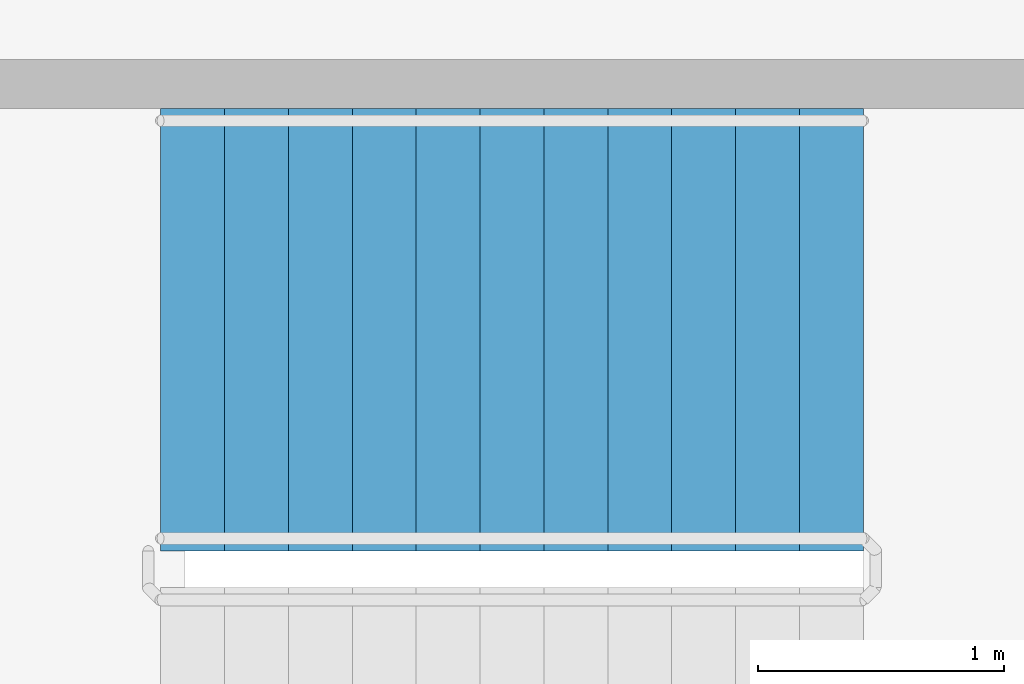
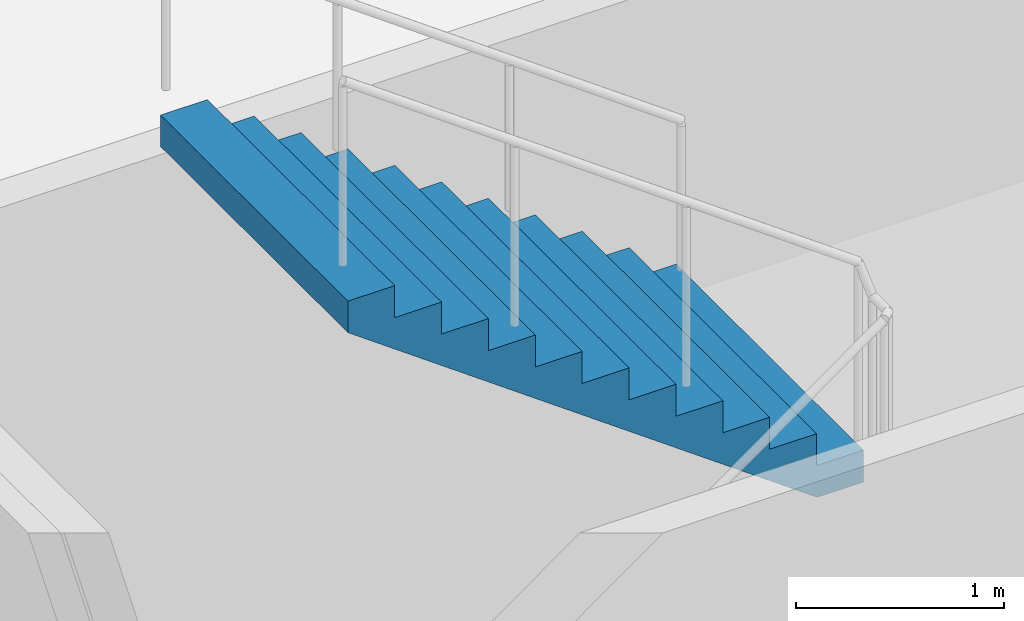
# One storey, part 47 of 51: 1 stair flight, 1 element without a shape of its own.
"""IFC4 building model written with IfcOpenShell, lengths in metres."""

import ifcopenshell
import ifcopenshell.guid

model = None  # the IFC model being written
_history = None  # IfcOwnerHistory: only IFC2X3 demands one
_inside = {}  # id of a spatial element -> (the spatial element, [elements in it])
_under = {}  # id of a project, library or spatial element -> (it, [spatial elements below it])
_declared = {}  # id of a project -> (the project, [libraries it declares])
_typed = {}  # id of a type object -> (the type object, [elements of that type])
_made_of = {}  # id of a material, layer set ... -> (it, [elements and type objects made of it])


def new_model(schema):
    """Start an empty IFC model of exactly this schema.

    Asked for "IFC4X3", IfcOpenShell would pick the latest addendum, in which some entities
    have other attributes; the version numbers below select the first issue.
    IFC2X3 requires an IfcOwnerHistory on every rooted entity: one is made here for all.
    """
    global model, _history
    if schema == "IFC4X3":
        model = ifcopenshell.file(schema_version=(4, 3, 0, 0))
    else:
        model = ifcopenshell.file(schema=schema)
    _inside.clear()
    _under.clear()
    _declared.clear()
    _typed.clear()
    _made_of.clear()
    _history = None
    if model.schema == "IFC2X3":
        org = make("IfcOrganization", Name="unknown")
        user = make(
            "IfcPersonAndOrganization",
            ThePerson=make("IfcPerson", FamilyName="unknown"),
            TheOrganization=org,
        )
        app = make(
            "IfcApplication",
            ApplicationDeveloper=org,
            Version="unknown",
            ApplicationFullName="unknown",
            ApplicationIdentifier="unknown",
        )
        _history = make(
            "IfcOwnerHistory",
            OwningUser=user,
            OwningApplication=app,
            ChangeAction="ADDED",
            CreationDate=0,
        )
    return model


def make(cls, **values):
    """One entity of the class cls with the attributes given. An attribute that is None is left unset."""
    return model.create_entity(
        cls, **{name: value for name, value in values.items() if value is not None}
    )


def rooted(cls, **values):
    """An entity with a GlobalId (a new one), such as an element, a storey or a relation."""
    return make(cls, GlobalId=ifcopenshell.guid.new(), OwnerHistory=_history, **values)


def si_unit(unit_type, name, prefix=None):
    """IfcSIUnit, for example si_unit("LENGTHUNIT", "METRE", prefix="MILLI")."""
    return make("IfcSIUnit", UnitType=unit_type, Prefix=prefix, Name=name)


def assignment(units):
    """IfcUnitAssignment: the units of a project."""
    return None if units is None else make("IfcUnitAssignment", Units=units)


def point(xyz):
    """IfcCartesianPoint."""
    return None if xyz is None else make("IfcCartesianPoint", Coordinates=xyz)


def direction(xyz):
    """IfcDirection."""
    return None if xyz is None else make("IfcDirection", DirectionRatios=xyz)


def frame(location, z_axis=None, x_axis=None):
    """IfcAxis2Placement3D, a coordinate frame: its origin and axes. An axis left out is left unset."""
    return make(
        "IfcAxis2Placement3D",
        Location=point(location),
        Axis=direction(z_axis),
        RefDirection=direction(x_axis),
    )


def origin():
    """The frame at (0, 0, 0) with its axes left unset."""
    return frame((0.0, 0.0, 0.0))


def place(relative_to, where):
    """IfcLocalPlacement: puts the frame where relative to a parent placement (None: the world)."""
    return make(
        "IfcLocalPlacement", PlacementRelTo=relative_to, RelativePlacement=where
    )


def context(
    kind, dimensions, precision=None, world=None, true_north=None, identifier=None
):
    """IfcGeometricRepresentationContext, for example the 3D "Model" context."""
    return make(
        "IfcGeometricRepresentationContext",
        ContextIdentifier=identifier,
        ContextType=kind,
        CoordinateSpaceDimension=dimensions,
        Precision=precision,
        WorldCoordinateSystem=world,
        TrueNorth=true_north,
    )


def subcontext(parent, identifier, kind, view, scale=None):
    """IfcGeometricRepresentationSubContext, for example "Body" below "Model"."""
    return make(
        "IfcGeometricRepresentationSubContext",
        ContextIdentifier=identifier,
        ContextType=kind,
        ParentContext=parent,
        TargetScale=scale,
        TargetView=view,
    )


def project(units=None, contexts=None):
    """IfcProject with its units and contexts."""
    return rooted(
        "IfcProject",
        Name="project",
        RepresentationContexts=contexts,
        UnitsInContext=assignment(units),
    )


def spatial(cls, under=None, at=None, **own):
    """A site, building, storey or space (cls), placed at a placement, below another one or the project."""
    s = rooted(cls, ObjectPlacement=at, **own)
    if under is not None:
        _under.setdefault(under.id(), (under, []))[1].append(s)
    return s


def faces_of(points, faces, orient=None, outer=None):
    """IfcFace entities. A face is a list of loops; a loop is a list of indices into points, from 0.

    orient and outer hold one flag for each loop. By default every Orientation is true, the
    first loop of a face is its IfcFaceOuterBound and the others are IfcFaceBound.
    """
    made = []
    for i, loops in enumerate(faces):
        bounds = []
        for j, loop in enumerate(loops):
            is_outer = j == 0 if outer is None else outer[i][j]
            bounds.append(
                make(
                    "IfcFaceOuterBound" if is_outer else "IfcFaceBound",
                    Bound=make("IfcPolyLoop", Polygon=[points[k] for k in loop]),
                    Orientation=True if orient is None else orient[i][j],
                )
            )
        made.append(make("IfcFace", Bounds=bounds))
    return made


def faceted_brep(points, faces, orient=None, outer=None, voids=None):
    """IfcFacetedBrep: a solid bounded by flat faces; with voids (closed shells), ...WithVoids."""
    shared = [point(p) for p in points]
    hull = make("IfcClosedShell", CfsFaces=faces_of(shared, faces, orient, outer))
    if voids is None:
        return make("IfcFacetedBrep", Outer=hull)
    return make(
        "IfcFacetedBrepWithVoids",
        Outer=hull,
        Voids=[
            make(cls, CfsFaces=faces_of(shared, fs, o, b)) for cls, fs, o, b in voids
        ],
    )


def shape(context_of_items, identifier, shape_type, items):
    """IfcShapeRepresentation: the items that make up one representation, for example the "Body"."""
    return make(
        "IfcShapeRepresentation",
        ContextOfItems=context_of_items,
        RepresentationIdentifier=identifier,
        RepresentationType=shape_type,
        Items=items,
    )


def material(Name=None, Category=None):
    """IfcMaterial."""
    return make("IfcMaterial", Name=Name, Category=Category)


def made_of(thing, what):
    """Note that an element or type object is made of a material, layer set ...; save() writes the relation."""
    if what is not None:
        _made_of.setdefault(what.id(), (what, []))[1].append(thing)
    return thing


def type_object(cls, material=None, **own):
    """A type object (cls), such as IfcWallType, which elements share."""
    return made_of(rooted(cls, **own), material)


def element(
    cls,
    number,
    at=None,
    inside=None,
    cuts=None,
    type_object=None,
    material=None,
    context=None,
    identifier="Body",
    shape_type=None,
    held_by="IfcProductDefinitionShape",
    body=None,
    shapes=None,
    **own,
):
    """One element of the class cls, such as IfcWall. Its Tag is "e" and its number.

    at: its placement. inside: the storey or other place that contains it. cuts: it is an
    opening in that element (IfcRelVoidsElement). A single representation is given by context,
    identifier, shape_type and body (its items); several are given by shapes. held_by: the class
    of the entity that holds the representations. save() writes the other relations.
    """
    e = rooted(cls, Tag="e%d" % number, ObjectPlacement=at, **own)
    if body is not None:
        shapes = [shape(context, identifier, shape_type, body)]
    if shapes is not None:
        e.Representation = make(held_by, Representations=shapes)
    if inside is not None:
        _inside.setdefault(inside.id(), (inside, []))[1].append(e)
    if cuts is not None:
        rooted(
            "IfcRelVoidsElement", RelatingBuildingElement=cuts, RelatedOpeningElement=e
        )
    if type_object is not None:
        _typed.setdefault(type_object.id(), (type_object, []))[1].append(e)
    return made_of(e, material)


def aggregate(whole, parts):
    """IfcRelAggregates: a whole, such as a stair, and the parts it consists of."""
    return rooted("IfcRelAggregates", RelatingObject=whole, RelatedObjects=parts)


def save(model, path):
    """Write the relations noted so far, then the file.

    IfcRelAggregates (storeys below a building ...), IfcRelContainedInSpatialStructure (elements
    in a storey), IfcRelDefinesByType, IfcRelAssociatesMaterial and IfcRelDeclares: one each for
    every whole, place, type object, material and project.
    """
    for whole, parts in _under.values():
        aggregate(whole, parts)
    for where, things in _inside.values():
        rooted(
            "IfcRelContainedInSpatialStructure",
            RelatedElements=things,
            RelatingStructure=where,
        )
    for kind, things in _typed.values():
        rooted("IfcRelDefinesByType", RelatedObjects=things, RelatingType=kind)
    for what, things in _made_of.values():
        rooted("IfcRelAssociatesMaterial", RelatedObjects=things, RelatingMaterial=what)
    for by, libraries in _declared.values():
        rooted("IfcRelDeclares", RelatingContext=by, RelatedDefinitions=libraries)
    model.write(path)


model = new_model("IFC4")

# Units and contexts
model_context = context("Model", 3, precision=1e-05, world=origin(), true_north=direction((0.0, 1.0)))
body_context = subcontext(model_context, "Body", "Model", "MODEL_VIEW")
ifc_project = project(units=[si_unit("LENGTHUNIT", "METRE"), si_unit("AREAUNIT", "SQUARE_METRE"), si_unit("VOLUMEUNIT", "CUBIC_METRE"), si_unit("PLANEANGLEUNIT", "RADIAN"), si_unit("MASSUNIT", "GRAM", prefix="KILO")], contexts=[model_context])

# Site, building, storey
site_placement = place(None, origin())
site = spatial("IfcSite", under=ifc_project, at=site_placement, CompositionType="ELEMENT")
building_placement = place(site_placement, origin())
building = spatial("IfcBuilding", under=site, at=building_placement, Name="Ipe Terrace Towers", CompositionType="ELEMENT")
storey_placement = place(building_placement, frame((0.0, 0.0, 15.5)))
storey = spatial("IfcBuildingStorey", under=building, at=storey_placement, Name="L03", CompositionType="ELEMENT", Elevation=15.5)

# Stair, stair flight
ifc_material_1 = material(Name="Concrete C30/37", Category="concrete")
stair_type = type_object("IfcStairType", Name="Protected exit stair", PredefinedType="HALF_TURN_STAIR", material=ifc_material_1)
stair_placement = place(storey_placement, origin())
stair = element("IfcStair", 1, at=stair_placement, inside=storey, type_object=stair_type, Name="L03 Podium exit stair PS8", PredefinedType="HALF_TURN_STAIR")
ifc_material_2 = material(Name="Concrete C30/37", Category="concrete")
stair_flight_type = type_object("IfcStairFlightType", Name="Exit stair flight 1800", PredefinedType="STRAIGHT", material=ifc_material_2)
stair_flight_placement = place(storey_placement, frame((61.550048828125, 4.449951171875, 2.25), z_axis=(0.0, 0.0, 1.0), x_axis=(-1.0, 0.0, 0.0)))
stair_flight = element("IfcStairFlight", 2, at=stair_flight_placement, type_object=stair_flight_type, Name="PS8 flight 2", NumberOfRisers=12, NumberOfTreads=11, PredefinedType="STRAIGHT", RiserHeight=0.1875, TreadLength=0.26, context=body_context, shape_type="Brep", body=[
    faceted_brep([(0.25634765625, -0.89990234375, 0.0), (2.860107421875, -0.89990234375, 1.877685546875), (2.860107421875, -0.89990234375, 2.0625), (2.60009765625, -0.89990234375, 2.0625), (2.60009765625, -0.89990234375, 1.875), (2.340087890625, -0.89990234375, 1.875), (2.340087890625, -0.89990234375, 1.6875), (2.080078125, -0.89990234375, 1.6875), (2.080078125, -0.89990234375, 1.5), (1.820068359375, -0.89990234375, 1.5), (1.820068359375, -0.89990234375, 1.3125), (1.56005859375, -0.89990234375, 1.3125), (1.56005859375, -0.89990234375, 1.125), (1.300048828125, -0.89990234375, 1.125), (1.300048828125, -0.89990234375, 0.9375), (1.0400390625, -0.89990234375, 0.9375), (1.0400390625, -0.89990234375, 0.75), (0.780029296875, -0.89990234375, 0.75), (0.780029296875, -0.89990234375, 0.5625), (0.52001953125, -0.89990234375, 0.5625), (0.52001953125, -0.89990234375, 0.375), (0.260009765625, -0.89990234375, 0.375), (0.260009765625, -0.89990234375, 0.1875), (0.0, -0.89990234375, 0.1875), (0.0, -0.89990234375, 0.0), (0.0, 0.89990234375, 0.0), (0.0, 0.89990234375, 0.1875), (0.260009765625, 0.89990234375, 0.1875), (0.260009765625, 0.89990234375, 0.375), (0.52001953125, 0.89990234375, 0.375), (0.52001953125, 0.89990234375, 0.5625), (0.780029296875, 0.89990234375, 0.5625), (0.780029296875, 0.89990234375, 0.75), (1.0400390625, 0.89990234375, 0.75), (1.0400390625, 0.89990234375, 0.9375), (1.300048828125, 0.89990234375, 0.9375), (1.300048828125, 0.89990234375, 1.125), (1.56005859375, 0.89990234375, 1.125), (1.56005859375, 0.89990234375, 1.3125), (1.820068359375, 0.89990234375, 1.3125), (1.820068359375, 0.89990234375, 1.5), (2.080078125, 0.89990234375, 1.5), (2.080078125, 0.89990234375, 1.6875), (2.340087890625, 0.89990234375, 1.6875), (2.340087890625, 0.89990234375, 1.875), (2.60009765625, 0.89990234375, 1.875), (2.60009765625, 0.89990234375, 2.0625), (2.860107421875, 0.89990234375, 2.0625), (2.860107421875, 0.89990234375, 1.877685546875), (0.25634765625, 0.89990234375, 0.0), (0.0, -0.300048828125, 0.1875), (0.0, -0.1201171875, 0.1875), (0.0, -0.06005859375, 0.1875), (0.0, -0.030029296875, 0.1875), (0.0, -0.010009765625, 0.1875), (0.0, 0.0, 0.1875), (0.0, 0.010009765625, 0.1875), (0.0, 0.030029296875, 0.1875), (0.0, 0.06005859375, 0.1875), (0.0, 0.1201171875, 0.1875), (0.0, 0.300048828125, 0.1875), (0.0, 0.300048828125, 0.0), (0.0, 0.1201171875, 0.0), (0.0, 0.06005859375, 0.0), (0.0, 0.030029296875, 0.0), (0.0, 0.010009765625, 0.0), (0.0, 0.0, 0.0), (0.0, -0.010009765625, 0.0), (0.0, -0.030029296875, 0.0), (0.0, -0.06005859375, 0.0), (0.0, -0.1201171875, 0.0), (0.0, -0.300048828125, 0.0), (0.260009765625, -0.300048828125, 0.1875), (0.260009765625, -0.1201171875, 0.1875), (0.260009765625, -0.06005859375, 0.1875), (0.260009765625, -0.030029296875, 0.1875), (0.260009765625, -0.010009765625, 0.1875), (0.260009765625, 0.0, 0.1875), (0.260009765625, 0.010009765625, 0.1875), (0.260009765625, 0.030029296875, 0.1875), (0.260009765625, 0.06005859375, 0.1875), (0.260009765625, 0.1201171875, 0.1875), (0.260009765625, 0.300048828125, 0.1875), (0.260009765625, -0.300048828125, 0.375), (0.260009765625, -0.1201171875, 0.375), (0.260009765625, -0.06005859375, 0.375), (0.260009765625, -0.030029296875, 0.375), (0.260009765625, -0.010009765625, 0.375), (0.260009765625, 0.0, 0.375), (0.260009765625, 0.010009765625, 0.375), (0.260009765625, 0.030029296875, 0.375), (0.260009765625, 0.06005859375, 0.375), (0.260009765625, 0.1201171875, 0.375), (0.260009765625, 0.300048828125, 0.375), (0.52001953125, -0.300048828125, 0.375), (0.52001953125, -0.1201171875, 0.375), (0.52001953125, -0.06005859375, 0.375), (0.52001953125, -0.030029296875, 0.375), (0.52001953125, -0.010009765625, 0.375), (0.52001953125, 0.0, 0.375), (0.52001953125, 0.010009765625, 0.375), (0.52001953125, 0.030029296875, 0.375), (0.52001953125, 0.06005859375, 0.375), (0.52001953125, 0.1201171875, 0.375), (0.52001953125, 0.300048828125, 0.375), (0.52001953125, -0.300048828125, 0.5625), (0.52001953125, -0.1201171875, 0.5625), (0.52001953125, -0.06005859375, 0.5625), (0.52001953125, -0.030029296875, 0.5625), (0.52001953125, -0.010009765625, 0.5625), (0.52001953125, 0.0, 0.5625), (0.52001953125, 0.010009765625, 0.5625), (0.52001953125, 0.030029296875, 0.5625), (0.52001953125, 0.06005859375, 0.5625), (0.52001953125, 0.1201171875, 0.5625), (0.52001953125, 0.300048828125, 0.5625), (0.780029296875, -0.300048828125, 0.5625), (0.780029296875, -0.1201171875, 0.5625), (0.780029296875, -0.06005859375, 0.5625), (0.780029296875, -0.030029296875, 0.5625), (0.780029296875, -0.010009765625, 0.5625), (0.780029296875, 0.0, 0.5625), (0.780029296875, 0.010009765625, 0.5625), (0.780029296875, 0.030029296875, 0.5625), (0.780029296875, 0.06005859375, 0.5625), (0.780029296875, 0.1201171875, 0.5625), (0.780029296875, 0.300048828125, 0.5625), (0.780029296875, -0.300048828125, 0.75), (0.780029296875, -0.1201171875, 0.75), (0.780029296875, -0.06005859375, 0.75), (0.780029296875, -0.030029296875, 0.75), (0.780029296875, -0.010009765625, 0.75), (0.780029296875, 0.0, 0.75), (0.780029296875, 0.010009765625, 0.75), (0.780029296875, 0.030029296875, 0.75), (0.780029296875, 0.06005859375, 0.75), (0.780029296875, 0.1201171875, 0.75), (0.780029296875, 0.300048828125, 0.75), (1.0400390625, -0.300048828125, 0.75), (1.0400390625, -0.1201171875, 0.75), (1.0400390625, -0.06005859375, 0.75), (1.0400390625, -0.030029296875, 0.75), (1.0400390625, -0.010009765625, 0.75), (1.0400390625, 0.0, 0.75), (1.0400390625, 0.010009765625, 0.75), (1.0400390625, 0.030029296875, 0.75), (1.0400390625, 0.06005859375, 0.75), (1.0400390625, 0.1201171875, 0.75), (1.0400390625, 0.300048828125, 0.75), (1.0400390625, -0.300048828125, 0.9375), (1.0400390625, -0.1201171875, 0.9375), (1.0400390625, -0.06005859375, 0.9375), (1.0400390625, -0.030029296875, 0.9375), (1.0400390625, -0.010009765625, 0.9375), (1.0400390625, 0.0, 0.9375), (1.0400390625, 0.010009765625, 0.9375), (1.0400390625, 0.030029296875, 0.9375), (1.0400390625, 0.06005859375, 0.9375), (1.0400390625, 0.1201171875, 0.9375), (1.0400390625, 0.300048828125, 0.9375), (1.300048828125, -0.300048828125, 0.9375), (1.300048828125, -0.1201171875, 0.9375), (1.300048828125, -0.06005859375, 0.9375), (1.300048828125, -0.030029296875, 0.9375), (1.300048828125, -0.010009765625, 0.9375), (1.300048828125, 0.0, 0.9375), (1.300048828125, 0.010009765625, 0.9375), (1.300048828125, 0.030029296875, 0.9375), (1.300048828125, 0.06005859375, 0.9375), (1.300048828125, 0.1201171875, 0.9375), (1.300048828125, 0.300048828125, 0.9375), (1.300048828125, -0.300048828125, 1.125), (1.300048828125, -0.1201171875, 1.125), (1.300048828125, -0.06005859375, 1.125), (1.300048828125, -0.030029296875, 1.125), (1.300048828125, -0.010009765625, 1.125), (1.300048828125, 0.0, 1.125), (1.300048828125, 0.010009765625, 1.125), (1.300048828125, 0.030029296875, 1.125), (1.300048828125, 0.06005859375, 1.125), (1.300048828125, 0.1201171875, 1.125), (1.300048828125, 0.300048828125, 1.125), (1.56005859375, -0.300048828125, 1.125), (1.56005859375, -0.1201171875, 1.125), (1.56005859375, -0.06005859375, 1.125), (1.56005859375, -0.030029296875, 1.125), (1.56005859375, -0.010009765625, 1.125), (1.56005859375, 0.0, 1.125), (1.56005859375, 0.010009765625, 1.125), (1.56005859375, 0.030029296875, 1.125), (1.56005859375, 0.06005859375, 1.125), (1.56005859375, 0.1201171875, 1.125), (1.56005859375, 0.300048828125, 1.125), (1.56005859375, -0.300048828125, 1.3125), (1.56005859375, -0.1201171875, 1.3125), (1.56005859375, -0.06005859375, 1.3125), (1.56005859375, -0.030029296875, 1.3125), (1.56005859375, -0.010009765625, 1.3125), (1.56005859375, 0.0, 1.3125), (1.56005859375, 0.010009765625, 1.3125), (1.56005859375, 0.030029296875, 1.3125), (1.56005859375, 0.06005859375, 1.3125), (1.56005859375, 0.1201171875, 1.3125), (1.56005859375, 0.300048828125, 1.3125), (1.820068359375, -0.300048828125, 1.3125), (1.820068359375, -0.1201171875, 1.3125), (1.820068359375, -0.06005859375, 1.3125), (1.820068359375, -0.030029296875, 1.3125), (1.820068359375, -0.010009765625, 1.3125), (1.820068359375, 0.0, 1.3125), (1.820068359375, 0.010009765625, 1.3125), (1.820068359375, 0.030029296875, 1.3125), (1.820068359375, 0.06005859375, 1.3125), (1.820068359375, 0.1201171875, 1.3125), (1.820068359375, 0.300048828125, 1.3125), (1.820068359375, -0.300048828125, 1.5), (1.820068359375, -0.1201171875, 1.5), (1.820068359375, -0.06005859375, 1.5), (1.820068359375, -0.030029296875, 1.5), (1.820068359375, -0.010009765625, 1.5), (1.820068359375, 0.0, 1.5), (1.820068359375, 0.010009765625, 1.5), (1.820068359375, 0.030029296875, 1.5), (1.820068359375, 0.06005859375, 1.5), (1.820068359375, 0.1201171875, 1.5), (1.820068359375, 0.300048828125, 1.5), (2.080078125, -0.300048828125, 1.5), (2.080078125, -0.1201171875, 1.5), (2.080078125, -0.06005859375, 1.5), (2.080078125, -0.030029296875, 1.5), (2.080078125, -0.010009765625, 1.5), (2.080078125, 0.0, 1.5), (2.080078125, 0.010009765625, 1.5), (2.080078125, 0.030029296875, 1.5), (2.080078125, 0.06005859375, 1.5), (2.080078125, 0.1201171875, 1.5), (2.080078125, 0.300048828125, 1.5), (2.080078125, -0.300048828125, 1.6875), (2.080078125, -0.1201171875, 1.6875), (2.080078125, -0.06005859375, 1.6875), (2.080078125, -0.030029296875, 1.6875), (2.080078125, -0.010009765625, 1.6875), (2.080078125, 0.0, 1.6875), (2.080078125, 0.010009765625, 1.6875), (2.080078125, 0.030029296875, 1.6875), (2.080078125, 0.06005859375, 1.6875), (2.080078125, 0.1201171875, 1.6875), (2.080078125, 0.300048828125, 1.6875), (2.340087890625, -0.300048828125, 1.6875), (2.340087890625, -0.1201171875, 1.6875), (2.340087890625, -0.06005859375, 1.6875), (2.340087890625, -0.030029296875, 1.6875), (2.340087890625, -0.010009765625, 1.6875), (2.340087890625, 0.0, 1.6875), (2.340087890625, 0.010009765625, 1.6875), (2.340087890625, 0.030029296875, 1.6875), (2.340087890625, 0.06005859375, 1.6875), (2.340087890625, 0.1201171875, 1.6875), (2.340087890625, 0.300048828125, 1.6875), (2.340087890625, -0.300048828125, 1.875), (2.340087890625, -0.1201171875, 1.875), (2.340087890625, -0.06005859375, 1.875), (2.340087890625, -0.030029296875, 1.875), (2.340087890625, -0.010009765625, 1.875), (2.340087890625, 0.0, 1.875), (2.340087890625, 0.010009765625, 1.875), (2.340087890625, 0.030029296875, 1.875), (2.340087890625, 0.06005859375, 1.875), (2.340087890625, 0.1201171875, 1.875), (2.340087890625, 0.300048828125, 1.875), (2.60009765625, -0.300048828125, 1.875), (2.60009765625, -0.1201171875, 1.875), (2.60009765625, -0.06005859375, 1.875), (2.60009765625, -0.030029296875, 1.875), (2.60009765625, -0.010009765625, 1.875), (2.60009765625, 0.0, 1.875), (2.60009765625, 0.010009765625, 1.875), (2.60009765625, 0.030029296875, 1.875), (2.60009765625, 0.06005859375, 1.875), (2.60009765625, 0.1201171875, 1.875), (2.60009765625, 0.300048828125, 1.875), (2.60009765625, -0.300048828125, 2.0625), (2.60009765625, -0.1201171875, 2.0625), (2.60009765625, -0.06005859375, 2.0625), (2.60009765625, -0.030029296875, 2.0625), (2.60009765625, -0.010009765625, 2.0625), (2.60009765625, 0.0, 2.0625), (2.60009765625, 0.010009765625, 2.0625), (2.60009765625, 0.030029296875, 2.0625), (2.60009765625, 0.06005859375, 2.0625), (2.60009765625, 0.1201171875, 2.0625), (2.60009765625, 0.300048828125, 2.0625), (2.860107421875, -0.300048828125, 2.0625), (2.860107421875, -0.1201171875, 2.0625), (2.860107421875, -0.06005859375, 2.0625), (2.860107421875, -0.030029296875, 2.0625), (2.860107421875, -0.010009765625, 2.0625), (2.860107421875, 0.0, 2.0625), (2.860107421875, 0.010009765625, 2.0625), (2.860107421875, 0.030029296875, 2.0625), (2.860107421875, 0.06005859375, 2.0625), (2.860107421875, 0.1201171875, 2.0625), (2.860107421875, 0.300048828125, 2.0625), (2.860107421875, -0.300048828125, 1.877685546875), (2.860107421875, -0.1201171875, 1.877685546875), (2.860107421875, -0.06005859375, 1.877685546875), (2.860107421875, -0.030029296875, 1.877685546875), (2.860107421875, -0.010009765625, 1.877685546875), (2.860107421875, 0.0, 1.877685546875), (2.860107421875, 0.010009765625, 1.877685546875), (2.860107421875, 0.030029296875, 1.877685546875), (2.860107421875, 0.06005859375, 1.877685546875), (2.860107421875, 0.1201171875, 1.877685546875), (2.860107421875, 0.300048828125, 1.877685546875), (0.25634765625, -0.300048828125, 0.0), (0.25634765625, -0.1201171875, 0.0), (0.25634765625, -0.06005859375, 0.0), (0.25634765625, -0.030029296875, 0.0), (0.25634765625, -0.010009765625, 0.0), (0.25634765625, 0.0, 0.0), (0.25634765625, 0.010009765625, 0.0), (0.25634765625, 0.030029296875, 0.0), (0.25634765625, 0.06005859375, 0.0), (0.25634765625, 0.1201171875, 0.0), (0.25634765625, 0.300048828125, 0.0)], [[[0, 1, 2, 3, 4, 5, 6, 7, 8, 9, 10, 11, 12, 13, 14, 15, 16, 17, 18, 19, 20, 21, 22, 23, 24]], [[25, 26, 27, 28, 29, 30, 31, 32, 33, 34, 35, 36, 37, 38, 39, 40, 41, 42, 43, 44, 45, 46, 47, 48, 49]], [[23, 50, 51, 52, 53, 54, 55, 56, 57, 58, 59, 60, 26, 25, 61, 62, 63, 64, 65, 66, 67, 68, 69, 70, 71, 24]], [[22, 72, 73, 74, 75, 76, 77, 78, 79, 80, 81, 82, 27, 26, 60, 59, 58, 57, 56, 55, 54, 53, 52, 51, 50, 23]], [[21, 83, 84, 85, 86, 87, 88, 89, 90, 91, 92, 93, 28, 27, 82, 81, 80, 79, 78, 77, 76, 75, 74, 73, 72, 22]], [[20, 94, 95, 96, 97, 98, 99, 100, 101, 102, 103, 104, 29, 28, 93, 92, 91, 90, 89, 88, 87, 86, 85, 84, 83, 21]], [[19, 105, 106, 107, 108, 109, 110, 111, 112, 113, 114, 115, 30, 29, 104, 103, 102, 101, 100, 99, 98, 97, 96, 95, 94, 20]], [[18, 116, 117, 118, 119, 120, 121, 122, 123, 124, 125, 126, 31, 30, 115, 114, 113, 112, 111, 110, 109, 108, 107, 106, 105, 19]], [[17, 127, 128, 129, 130, 131, 132, 133, 134, 135, 136, 137, 32, 31, 126, 125, 124, 123, 122, 121, 120, 119, 118, 117, 116, 18]], [[16, 138, 139, 140, 141, 142, 143, 144, 145, 146, 147, 148, 33, 32, 137, 136, 135, 134, 133, 132, 131, 130, 129, 128, 127, 17]], [[15, 149, 150, 151, 152, 153, 154, 155, 156, 157, 158, 159, 34, 33, 148, 147, 146, 145, 144, 143, 142, 141, 140, 139, 138, 16]], [[14, 160, 161, 162, 163, 164, 165, 166, 167, 168, 169, 170, 35, 34, 159, 158, 157, 156, 155, 154, 153, 152, 151, 150, 149, 15]], [[13, 171, 172, 173, 174, 175, 176, 177, 178, 179, 180, 181, 36, 35, 170, 169, 168, 167, 166, 165, 164, 163, 162, 161, 160, 14]], [[12, 182, 183, 184, 185, 186, 187, 188, 189, 190, 191, 192, 37, 36, 181, 180, 179, 178, 177, 176, 175, 174, 173, 172, 171, 13]], [[11, 193, 194, 195, 196, 197, 198, 199, 200, 201, 202, 203, 38, 37, 192, 191, 190, 189, 188, 187, 186, 185, 184, 183, 182, 12]], [[10, 204, 205, 206, 207, 208, 209, 210, 211, 212, 213, 214, 39, 38, 203, 202, 201, 200, 199, 198, 197, 196, 195, 194, 193, 11]], [[9, 215, 216, 217, 218, 219, 220, 221, 222, 223, 224, 225, 40, 39, 214, 213, 212, 211, 210, 209, 208, 207, 206, 205, 204, 10]], [[8, 226, 227, 228, 229, 230, 231, 232, 233, 234, 235, 236, 41, 40, 225, 224, 223, 222, 221, 220, 219, 218, 217, 216, 215, 9]], [[7, 237, 238, 239, 240, 241, 242, 243, 244, 245, 246, 247, 42, 41, 236, 235, 234, 233, 232, 231, 230, 229, 228, 227, 226, 8]], [[6, 248, 249, 250, 251, 252, 253, 254, 255, 256, 257, 258, 43, 42, 247, 246, 245, 244, 243, 242, 241, 240, 239, 238, 237, 7]], [[5, 259, 260, 261, 262, 263, 264, 265, 266, 267, 268, 269, 44, 43, 258, 257, 256, 255, 254, 253, 252, 251, 250, 249, 248, 6]], [[4, 270, 271, 272, 273, 274, 275, 276, 277, 278, 279, 280, 45, 44, 269, 268, 267, 266, 265, 264, 263, 262, 261, 260, 259, 5]], [[3, 281, 282, 283, 284, 285, 286, 287, 288, 289, 290, 291, 46, 45, 280, 279, 278, 277, 276, 275, 274, 273, 272, 271, 270, 4]], [[2, 292, 293, 294, 295, 296, 297, 298, 299, 300, 301, 302, 47, 46, 291, 290, 289, 288, 287, 286, 285, 284, 283, 282, 281, 3]], [[1, 303, 304, 305, 306, 307, 308, 309, 310, 311, 312, 313, 48, 47, 302, 301, 300, 299, 298, 297, 296, 295, 294, 293, 292, 2]], [[0, 314, 315, 316, 317, 318, 319, 320, 321, 322, 323, 324, 49, 48, 313, 312, 311, 310, 309, 308, 307, 306, 305, 304, 303, 1]], [[24, 71, 70, 69, 68, 67, 66, 65, 64, 63, 62, 61, 25, 49, 324, 323, 322, 321, 320, 319, 318, 317, 316, 315, 314, 0]]]),
])
aggregate(stair, [stair_flight])

save(model, "model.ifc")
